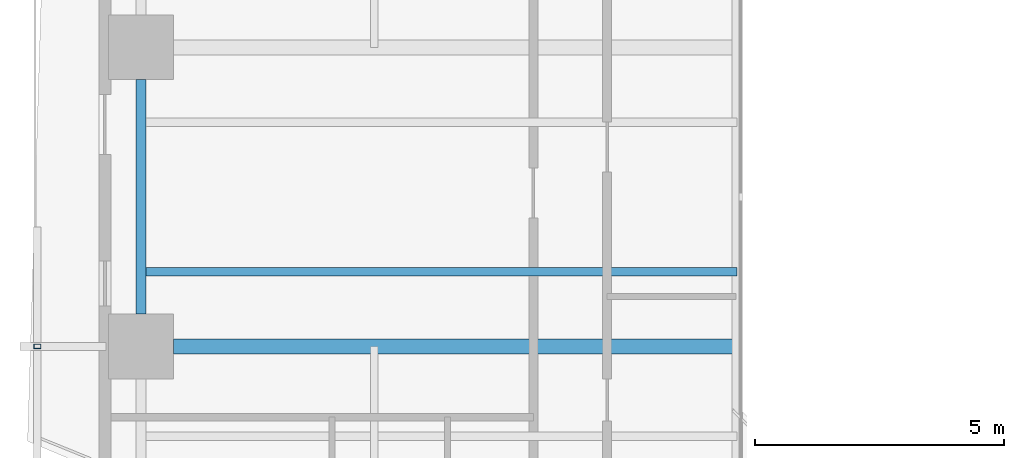
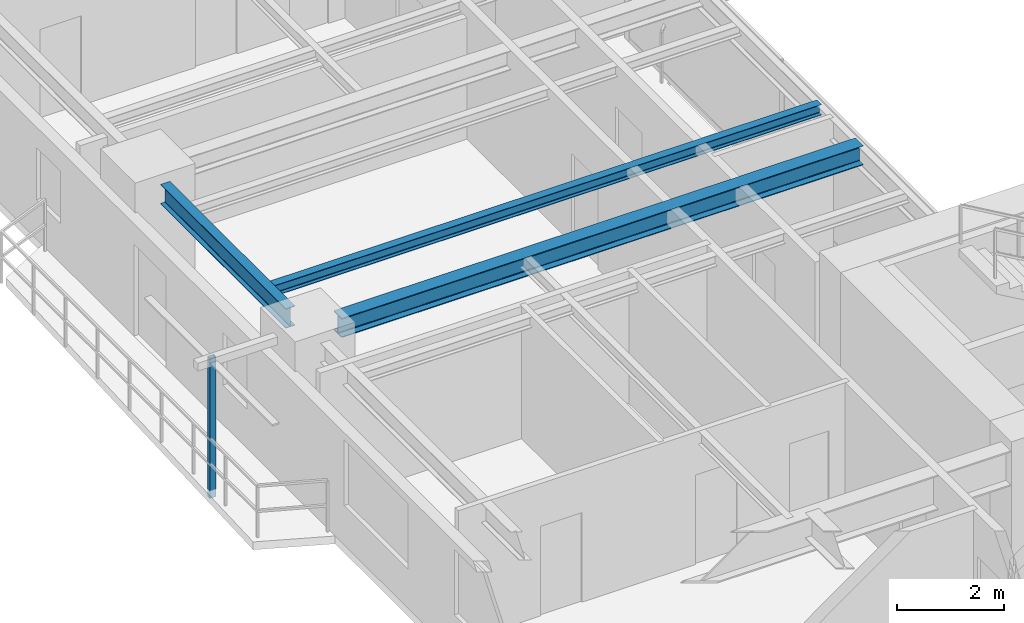
# One storey, part 3 of 23: 3 beams, 1 member.
"""IFC4 building model written with IfcOpenShell, lengths in metres."""

from ifc_helpers import new_model, si_unit, direction, frame, origin, origin_2d, place, context, subcontext, project, spatial, hollow_rectangle, i_section, extrude, source, transform, mapped, material, material_profile, profile_set, type_object, element, save


model = new_model("IFC4")

# Units and contexts
model_context = context("Model", 3, precision=1e-05, world=origin(), true_north=direction((0.0, 1.0)))
body_context = subcontext(model_context, "Body", "Model", "MODEL_VIEW")
ifc_project = project(units=[si_unit("LENGTHUNIT", "METRE"), si_unit("AREAUNIT", "SQUARE_METRE"), si_unit("VOLUMEUNIT", "CUBIC_METRE"), si_unit("PLANEANGLEUNIT", "RADIAN"), si_unit("MASSUNIT", "GRAM", prefix="KILO"), si_unit("THERMODYNAMICTEMPERATUREUNIT", "KELVIN"), si_unit("POWERUNIT", "WATT")], contexts=[model_context])

# Site, building, storey
site_placement = place(None, origin())
site = spatial("IfcSite", under=ifc_project, at=site_placement, CompositionType="ELEMENT")
building_placement = place(site_placement, origin())
building = spatial("IfcBuilding", under=site, at=building_placement, Name="Qiaomeng Ring Towers", CompositionType="ELEMENT")
storey_placement = place(building_placement, frame((0.0, 0.0, 89.25)))
storey = spatial("IfcBuildingStorey", under=building, at=storey_placement, Name="L25", CompositionType="ELEMENT", Elevation=89.25)

# Beams
ifc_material_1 = material(Name="Steel Q355B", Category="steel")
ifc_material_profile_1 = material_profile(ifc_material_1, i_section(OverallWidth=0.199951171875, OverallDepth=0.449951171875, WebThickness=0.009033203125, FlangeThickness=0.013916015625, FilletRadius=0.01806640625, at=origin_2d()), Name="HN 450x200x9x14")
ifc_profile_set_1 = profile_set([ifc_material_profile_1], Name="Steel Q355B")
beam_type_1 = type_object("IfcBeamType", Name="STR-BM-HN450", PredefinedType="SPANDREL", material=ifc_profile_set_1)
shared_shape_1 = source(origin(), body_context, "Body", "SweptSolid", [
    extrude(i_section(OverallWidth=0.199951171875, OverallDepth=0.449951171875, WebThickness=0.009033203125, FlangeThickness=0.013916015625, FilletRadius=0.01806640625, at=origin_2d()), origin(), (0.0, 0.0, 1.0), 4.7021484375),
])
beam_1_placement = place(storey_placement, frame((0.85009765625, 25.35107421875, 2.804931640625), z_axis=(0.0, -1.0, 0.0), x_axis=(1.0, 0.0, 0.0)))
element("IfcBeam", 1, at=beam_1_placement, inside=storey, type_object=beam_type_1, Name="L25 beam STR-SP-L25-T1-W3-W2", PredefinedType="SPANDREL", context=body_context, shape_type="MappedRepresentation", body=[
    mapped(shared_shape_1, transform((0.0, 0.0, 0.0), x_axis=(1.0, 0.0, 0.0), y_axis=(0.0, 1.0, 0.0), z_axis=(0.0, 0.0, 1.0), scale=1.0)),
])
ifc_material_profile_2 = material_profile(ifc_material_1, i_section(OverallWidth=0.300048828125, OverallDepth=0.43994140625, WebThickness=0.010986328125, FlangeThickness=0.01806640625, FilletRadius=0.02392578125, at=origin_2d()), Name="HM 440x300x11x18")
ifc_profile_set_2 = profile_set([ifc_material_profile_2], Name="Steel Q355B")
beam_type_2 = type_object("IfcBeamType", Name="STR-BM-HM440", PredefinedType="BEAM", material=ifc_profile_set_2)
shared_shape_2 = source(origin(), body_context, "Body", "SweptSolid", [
    extrude(i_section(OverallWidth=0.300048828125, OverallDepth=0.43994140625, WebThickness=0.010986328125, FlangeThickness=0.01806640625, FilletRadius=0.02392578125, at=origin_2d()), origin(), (0.0, 0.0, 1.0), 11.301025390625),
])
beam_2_placement = place(storey_placement, frame((1.4990234375, 20.0, 2.81005859375), z_axis=(1.0, 0.0, 0.0), x_axis=(0.0, 1.0, 0.0)))
element("IfcBeam", 2, at=beam_2_placement, inside=storey, type_object=beam_type_2, Name="L25 beam STR-BM-L25-T1-RAD-W2", PredefinedType="BEAM", context=body_context, shape_type="MappedRepresentation", body=[
    mapped(shared_shape_2, transform((0.0, 0.0, 0.0), x_axis=(1.0, 0.0, 0.0), y_axis=(0.0, 1.0, 0.0), z_axis=(0.0, 0.0, 1.0), scale=1.0)),
])
ifc_material_profile_3 = material_profile(ifc_material_1, i_section(OverallWidth=0.175048828125, OverallDepth=0.243896484375, WebThickness=0.007080078125, FlangeThickness=0.010986328125, FilletRadius=0.01611328125, at=origin_2d()), Name="HM 244x175x7x11")
ifc_profile_set_3 = profile_set([ifc_material_profile_3], Name="Steel Q355B")
beam_type_3 = type_object("IfcBeamType", Name="STR-BM-HM244", PredefinedType="JOIST", material=ifc_profile_set_3)
shared_shape_3 = source(origin(), body_context, "Body", "SweptSolid", [
    extrude(i_section(OverallWidth=0.175048828125, OverallDepth=0.243896484375, WebThickness=0.007080078125, FlangeThickness=0.010986328125, FilletRadius=0.01611328125, at=origin_2d()), origin(), (0.0, 0.0, 1.0), 11.949951171875),
])
beam_3_placement = place(storey_placement, frame((0.85009765625, 21.5, 2.907958984375), z_axis=(1.0, 0.0, 0.0), x_axis=(0.0, 1.0, 0.0)))
element("IfcBeam", 3, at=beam_3_placement, inside=storey, type_object=beam_type_3, Name="L25 beam STR-JST-L25-T1W-2", PredefinedType="JOIST", context=body_context, shape_type="MappedRepresentation", body=[
    mapped(shared_shape_3, transform((0.0, 0.0, 0.0), x_axis=(1.0, 0.0, 0.0), y_axis=(0.0, 1.0, 0.0), z_axis=(0.0, 0.0, 1.0), scale=1.0)),
])

# Member
ifc_material_2 = material(Name="Stainless steel 316", Category="steel")
ifc_material_profile_4 = material_profile(ifc_material_2, hollow_rectangle(XDim=0.090087890625, YDim=0.139892578125, WallThickness=0.0048828125, at=origin_2d()), Name="SS TRELLIS 90x140")
ifc_profile_set_4 = profile_set([ifc_material_profile_4], Name="Stainless steel 316")
member_type = type_object("IfcMemberType", Name="ARC-TR-POST1", PredefinedType="STUD", material=ifc_profile_set_4)
shared_shape_4 = source(origin(), body_context, "Body", "SweptSolid", [
    extrude(hollow_rectangle(XDim=0.090087890625, YDim=0.139892578125, WallThickness=0.0048828125, at=origin_2d()), origin(), (0.0, 0.0, 1.0), 3.2099609375),
])
member_placement = place(storey_placement, frame((-1.22998046875, 20.0, -0.179931640625), z_axis=(0.0, 0.0, 1.0), x_axis=(0.0, 1.0, 0.0)))
element("IfcMember", 4, at=member_placement, inside=storey, type_object=member_type, Name="L25 Outer Ventilated Trellis Post W", PredefinedType="STUD", context=body_context, shape_type="MappedRepresentation", body=[
    mapped(shared_shape_4, transform((0.0, 0.0, 0.0), x_axis=(1.0, 0.0, 0.0), y_axis=(0.0, 1.0, 0.0), z_axis=(0.0, 0.0, 1.0), scale=1.0)),
])

save(model, "model.ifc")
